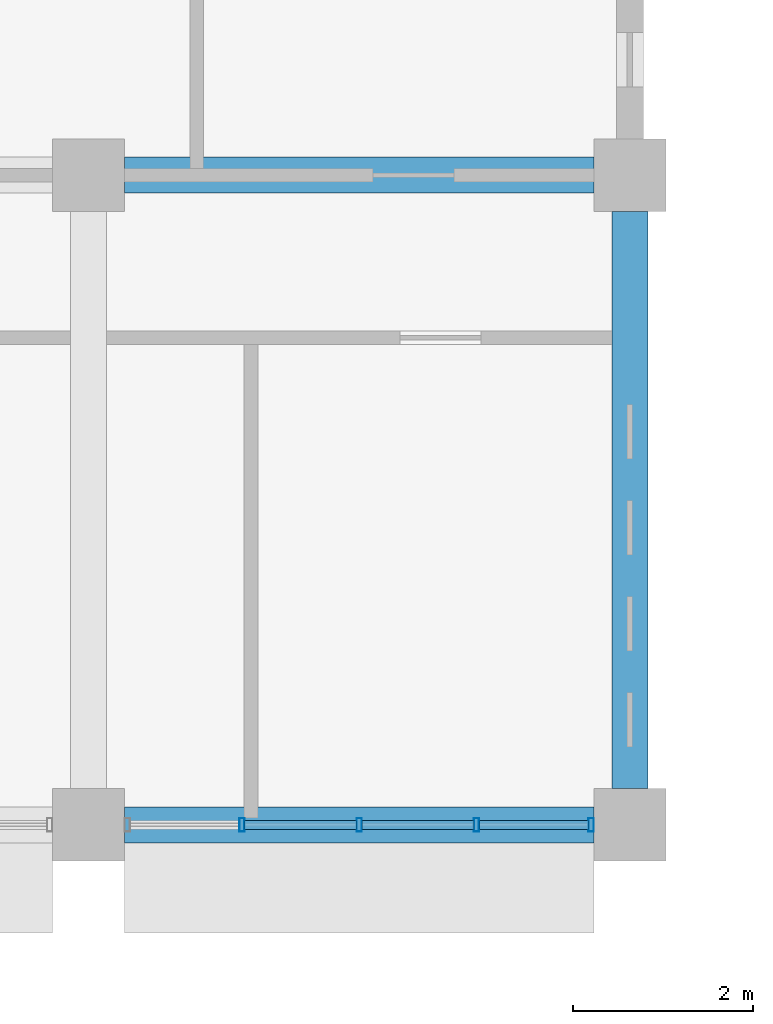
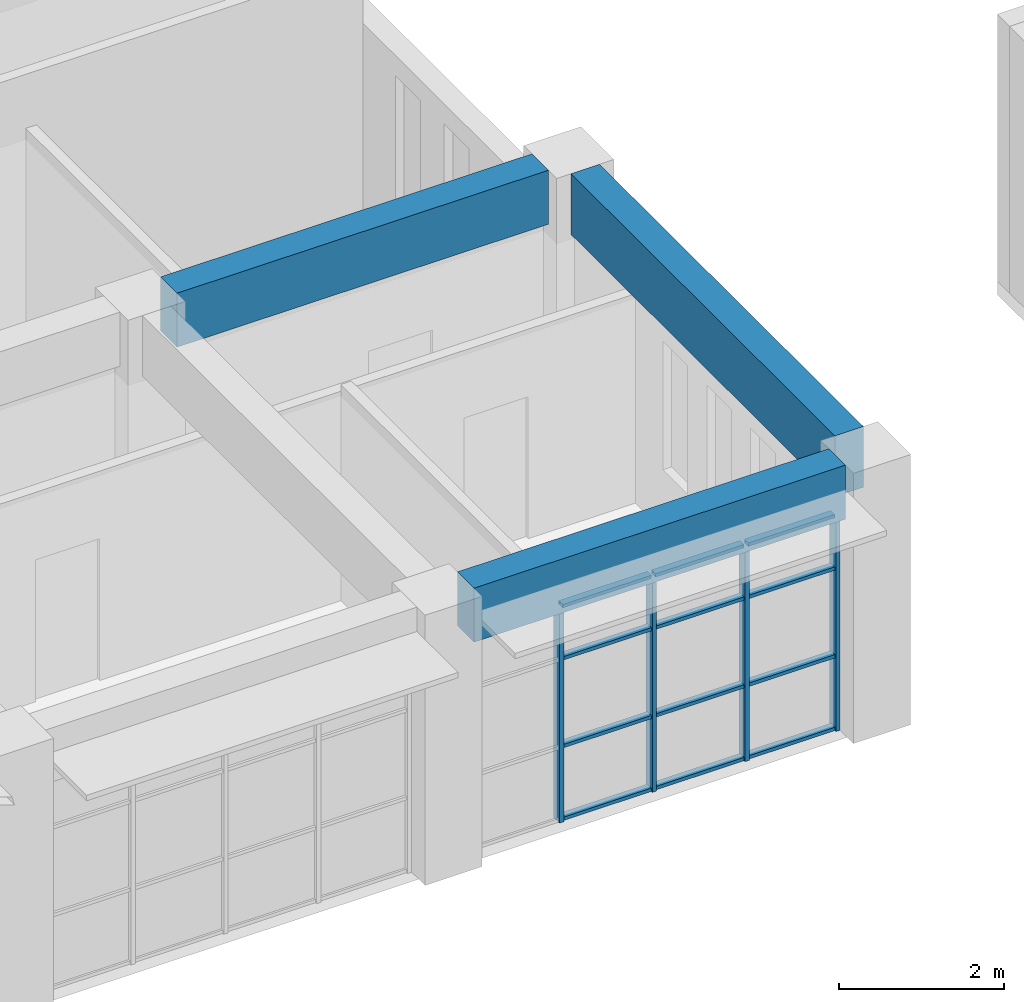
# One storey, part 16 of 47: 16 members, 3 beams, 1 element without a shape of its own.
"""IFC4 building model written with IfcOpenShell, lengths in metres."""

from ifc_helpers import new_model, si_unit, direction, frame, origin, origin_2d, place, context, subcontext, project, spatial, rectangle, hollow_rectangle, extrude, material, material_profile, profile_set, type_object, element, aggregate, save


model = new_model("IFC4")

# Units and contexts
model_context = context("Model", 3, precision=1e-05, world=origin(), true_north=direction((0.0, 1.0)))
body_context = subcontext(model_context, "Body", "Model", "MODEL_VIEW")
ifc_project = project(units=[si_unit("LENGTHUNIT", "METRE"), si_unit("AREAUNIT", "SQUARE_METRE"), si_unit("VOLUMEUNIT", "CUBIC_METRE"), si_unit("PLANEANGLEUNIT", "RADIAN"), si_unit("MASSUNIT", "GRAM", prefix="KILO")], contexts=[model_context])

# Site, building, storey
site_placement = place(None, origin())
site = spatial("IfcSite", under=ifc_project, at=site_placement, CompositionType="ELEMENT")
building_placement = place(site_placement, origin())
building = spatial("IfcBuilding", under=site, at=building_placement, Name="Laocheng Heights Fire and Rescue Headquarters", CompositionType="ELEMENT")
storey_placement = place(building_placement, frame((0.0, 0.0, 16.800048828125)))
storey = spatial("IfcBuildingStorey", under=building, at=storey_placement, Name="L04", CompositionType="ELEMENT", Elevation=16.800048828125)

# Curtain wall, members
ifc_material_1 = material(Name="Dark anodised aluminium unitised curtain wall, low-e double glazing", Category="aluminium")
curtain_wall_type = type_object("IfcCurtainWallType", Name="CW 5200 x 3200 HQ SOUTH RIBBON", PredefinedType="NOTDEFINED", material=ifc_material_1)
curtain_wall_placement = place(storey_placement, origin())
curtain_wall = element("IfcCurtainWall", 1, at=curtain_wall_placement, inside=storey, type_object=curtain_wall_type, Name="X13-X HQ SOUTH L04", PredefinedType="NOTDEFINED")
ifc_material_2 = material(Name="Dark anodised aluminium 6063-T5 extrusion", Category="aluminium")
ifc_material_profile_1 = material_profile(ifc_material_2, hollow_rectangle(XDim=0.14990234375, YDim=0.06005859375, WallThickness=0.0029296875, at=origin_2d()), Name="AL MULLION 150x60x3 HQ SOUTH RIBBON")
ifc_profile_set_1 = profile_set([ifc_material_profile_1], Name="Dark anodised aluminium 6063-T5 extrusion")
member_type_1 = type_object("IfcMemberType", Name="AL MULLION 150x60x3 HQ SOUTH RIBBON", PredefinedType="MULLION", material=ifc_profile_set_1)
member_1_placement = place(storey_placement, frame((79.699951171875, 50.39990234375, 0.0), z_axis=(0.0, 0.0, 1.0), x_axis=(0.0, 1.0, 0.0)))
member_1 = element("IfcMember", 2, at=member_1_placement, type_object=member_type_1, Name="X13-X mullion 2", PredefinedType="MULLION", context=body_context, shape_type="SweptSolid", body=[
    extrude(hollow_rectangle(XDim=0.14990234375, YDim=0.06005859375, WallThickness=0.0029296875, at=origin_2d()), origin(), (0.0, 0.0, 1.0), 3.199951171875),
])
member_2_placement = place(storey_placement, frame((81.0, 50.39990234375, 0.0), z_axis=(0.0, 0.0, 1.0), x_axis=(0.0, 1.0, 0.0)))
member_2 = element("IfcMember", 3, at=member_2_placement, type_object=member_type_1, Name="X13-X mullion 3", PredefinedType="MULLION", context=body_context, shape_type="SweptSolid", body=[
    extrude(hollow_rectangle(XDim=0.14990234375, YDim=0.06005859375, WallThickness=0.0029296875, at=origin_2d()), origin(), (0.0, 0.0, 1.0), 3.199951171875),
])
member_3_placement = place(storey_placement, frame((82.300048828125, 50.39990234375, 0.0), z_axis=(0.0, 0.0, 1.0), x_axis=(0.0, 1.0, 0.0)))
member_3 = element("IfcMember", 4, at=member_3_placement, type_object=member_type_1, Name="X13-X mullion 4", PredefinedType="MULLION", context=body_context, shape_type="SweptSolid", body=[
    extrude(hollow_rectangle(XDim=0.14990234375, YDim=0.06005859375, WallThickness=0.0029296875, at=origin_2d()), origin(), (0.0, 0.0, 1.0), 3.199951171875),
])
member_4_placement = place(storey_placement, frame((83.570068359375, 50.39990234375, 0.0), z_axis=(0.0, 0.0, 1.0), x_axis=(0.0, 1.0, 0.0)))
member_4 = element("IfcMember", 5, at=member_4_placement, type_object=member_type_1, Name="X13-X mullion 5", PredefinedType="MULLION", context=body_context, shape_type="SweptSolid", body=[
    extrude(hollow_rectangle(XDim=0.14990234375, YDim=0.06005859375, WallThickness=0.0029296875, at=origin_2d()), origin(), (0.0, 0.0, 1.0), 3.199951171875),
])
ifc_material_3 = material(Name="Dark anodised aluminium 6063-T5 extrusion", Category="aluminium")
ifc_material_profile_2 = material_profile(ifc_material_3, hollow_rectangle(XDim=0.10009765625, YDim=0.050048828125, WallThickness=0.0029296875, at=origin_2d()), Name="AL TRANSOM 100x50x3 HQ SOUTH RIBBON")
ifc_profile_set_2 = profile_set([ifc_material_profile_2], Name="Dark anodised aluminium 6063-T5 extrusion")
member_type_2 = type_object("IfcMemberType", Name="AL TRANSOM 100x50x3 HQ SOUTH RIBBON", PredefinedType="USERDEFINED", material=ifc_profile_set_2)
member_5_placement = place(storey_placement, frame((79.72998046875, 50.39990234375, 0.02490234375), z_axis=(1.0, 0.0, 0.0), x_axis=(0.0, 1.0, 0.0)))
member_5 = element("IfcMember", 6, at=member_5_placement, type_object=member_type_2, Name="X13-X transom 2.1", ObjectType="TRANSOM", PredefinedType="USERDEFINED", context=body_context, shape_type="SweptSolid", body=[
    extrude(hollow_rectangle(XDim=0.10009765625, YDim=0.050048828125, WallThickness=0.0029296875, at=origin_2d()), origin(), (0.0, 0.0, 1.0), 1.239990234375),
])
member_6_placement = place(storey_placement, frame((79.72998046875, 50.39990234375, 1.099853515625), z_axis=(1.0, 0.0, 0.0), x_axis=(0.0, 1.0, 0.0)))
member_6 = element("IfcMember", 7, at=member_6_placement, type_object=member_type_2, Name="X13-X transom 2.2", ObjectType="TRANSOM", PredefinedType="USERDEFINED", context=body_context, shape_type="SweptSolid", body=[
    extrude(hollow_rectangle(XDim=0.10009765625, YDim=0.050048828125, WallThickness=0.0029296875, at=origin_2d()), origin(), (0.0, 0.0, 1.0), 1.239990234375),
])
member_7_placement = place(storey_placement, frame((79.72998046875, 50.39990234375, 2.39990234375), z_axis=(1.0, 0.0, 0.0), x_axis=(0.0, 1.0, 0.0)))
member_7 = element("IfcMember", 8, at=member_7_placement, type_object=member_type_2, Name="X13-X transom 2.3", ObjectType="TRANSOM", PredefinedType="USERDEFINED", context=body_context, shape_type="SweptSolid", body=[
    extrude(hollow_rectangle(XDim=0.10009765625, YDim=0.050048828125, WallThickness=0.0029296875, at=origin_2d()), origin(), (0.0, 0.0, 1.0), 1.239990234375),
])
member_8_placement = place(storey_placement, frame((79.72998046875, 50.39990234375, 3.175048828125), z_axis=(1.0, 0.0, 0.0), x_axis=(0.0, 1.0, 0.0)))
member_8 = element("IfcMember", 9, at=member_8_placement, type_object=member_type_2, Name="X13-X transom 2.4", ObjectType="TRANSOM", PredefinedType="USERDEFINED", context=body_context, shape_type="SweptSolid", body=[
    extrude(hollow_rectangle(XDim=0.10009765625, YDim=0.050048828125, WallThickness=0.0029296875, at=origin_2d()), origin(), (0.0, 0.0, 1.0), 1.239990234375),
])
member_9_placement = place(storey_placement, frame((81.030029296875, 50.39990234375, 0.02490234375), z_axis=(1.0, 0.0, 0.0), x_axis=(0.0, 1.0, 0.0)))
member_9 = element("IfcMember", 10, at=member_9_placement, type_object=member_type_2, Name="X13-X transom 3.1", ObjectType="TRANSOM", PredefinedType="USERDEFINED", context=body_context, shape_type="SweptSolid", body=[
    extrude(hollow_rectangle(XDim=0.10009765625, YDim=0.050048828125, WallThickness=0.0029296875, at=origin_2d()), origin(), (0.0, 0.0, 1.0), 1.239990234375),
])
member_10_placement = place(storey_placement, frame((81.030029296875, 50.39990234375, 1.099853515625), z_axis=(1.0, 0.0, 0.0), x_axis=(0.0, 1.0, 0.0)))
member_10 = element("IfcMember", 11, at=member_10_placement, type_object=member_type_2, Name="X13-X transom 3.2", ObjectType="TRANSOM", PredefinedType="USERDEFINED", context=body_context, shape_type="SweptSolid", body=[
    extrude(hollow_rectangle(XDim=0.10009765625, YDim=0.050048828125, WallThickness=0.0029296875, at=origin_2d()), origin(), (0.0, 0.0, 1.0), 1.239990234375),
])
member_11_placement = place(storey_placement, frame((81.030029296875, 50.39990234375, 2.39990234375), z_axis=(1.0, 0.0, 0.0), x_axis=(0.0, 1.0, 0.0)))
member_11 = element("IfcMember", 12, at=member_11_placement, type_object=member_type_2, Name="X13-X transom 3.3", ObjectType="TRANSOM", PredefinedType="USERDEFINED", context=body_context, shape_type="SweptSolid", body=[
    extrude(hollow_rectangle(XDim=0.10009765625, YDim=0.050048828125, WallThickness=0.0029296875, at=origin_2d()), origin(), (0.0, 0.0, 1.0), 1.239990234375),
])
member_12_placement = place(storey_placement, frame((81.030029296875, 50.39990234375, 3.175048828125), z_axis=(1.0, 0.0, 0.0), x_axis=(0.0, 1.0, 0.0)))
member_12 = element("IfcMember", 13, at=member_12_placement, type_object=member_type_2, Name="X13-X transom 3.4", ObjectType="TRANSOM", PredefinedType="USERDEFINED", context=body_context, shape_type="SweptSolid", body=[
    extrude(hollow_rectangle(XDim=0.10009765625, YDim=0.050048828125, WallThickness=0.0029296875, at=origin_2d()), origin(), (0.0, 0.0, 1.0), 1.239990234375),
])
member_13_placement = place(storey_placement, frame((82.330078125, 50.39990234375, 0.02490234375), z_axis=(1.0, 0.0, 0.0), x_axis=(0.0, 1.0, 0.0)))
member_13 = element("IfcMember", 14, at=member_13_placement, type_object=member_type_2, Name="X13-X transom 4.1", ObjectType="TRANSOM", PredefinedType="USERDEFINED", context=body_context, shape_type="SweptSolid", body=[
    extrude(hollow_rectangle(XDim=0.10009765625, YDim=0.050048828125, WallThickness=0.0029296875, at=origin_2d()), origin(), (0.0, 0.0, 1.0), 1.2099609375),
])
member_14_placement = place(storey_placement, frame((82.330078125, 50.39990234375, 1.099853515625), z_axis=(1.0, 0.0, 0.0), x_axis=(0.0, 1.0, 0.0)))
member_14 = element("IfcMember", 15, at=member_14_placement, type_object=member_type_2, Name="X13-X transom 4.2", ObjectType="TRANSOM", PredefinedType="USERDEFINED", context=body_context, shape_type="SweptSolid", body=[
    extrude(hollow_rectangle(XDim=0.10009765625, YDim=0.050048828125, WallThickness=0.0029296875, at=origin_2d()), origin(), (0.0, 0.0, 1.0), 1.2099609375),
])
member_15_placement = place(storey_placement, frame((82.330078125, 50.39990234375, 2.39990234375), z_axis=(1.0, 0.0, 0.0), x_axis=(0.0, 1.0, 0.0)))
member_15 = element("IfcMember", 16, at=member_15_placement, type_object=member_type_2, Name="X13-X transom 4.3", ObjectType="TRANSOM", PredefinedType="USERDEFINED", context=body_context, shape_type="SweptSolid", body=[
    extrude(hollow_rectangle(XDim=0.10009765625, YDim=0.050048828125, WallThickness=0.0029296875, at=origin_2d()), origin(), (0.0, 0.0, 1.0), 1.2099609375),
])
member_16_placement = place(storey_placement, frame((82.330078125, 50.39990234375, 3.175048828125), z_axis=(1.0, 0.0, 0.0), x_axis=(0.0, 1.0, 0.0)))
member_16 = element("IfcMember", 17, at=member_16_placement, type_object=member_type_2, Name="X13-X transom 4.4", ObjectType="TRANSOM", PredefinedType="USERDEFINED", context=body_context, shape_type="SweptSolid", body=[
    extrude(hollow_rectangle(XDim=0.10009765625, YDim=0.050048828125, WallThickness=0.0029296875, at=origin_2d()), origin(), (0.0, 0.0, 1.0), 1.2099609375),
])
aggregate(curtain_wall, [member_1, member_2, member_3, member_4, member_5, member_6, member_7, member_8, member_9, member_10, member_11, member_12, member_13, member_14, member_15, member_16])

# Beams
ifc_material_4 = material(Name="Concrete C40", Category="concrete")
ifc_material_profile_3 = material_profile(ifc_material_4, rectangle(XDim=0.39990234375, YDim=0.800048828125, at=origin_2d()), Name="RC BEAM 400x800 HQ")
ifc_profile_set_3 = profile_set([ifc_material_profile_3], Name="Concrete C40")
beam_type_1 = type_object("IfcBeamType", Name="RC BEAM 400x800 HQ", PredefinedType="BEAM", material=ifc_profile_set_3)
for number, where, z_axis, x_axis, name in (
    (18, (78.39990234375, 50.39990234375, 3.599853515625), (1.0, 0.0, 0.0), (0.0, 1.0, 0.0), "HQ beam L04"),
    (19, (78.39990234375, 57.60009765625, 3.599853515625), (1.0, 0.0, 0.0), (0.0, 1.0, 0.0), "HQ beam L04"),
):
    element("IfcBeam", number, at=place(storey_placement, frame(where, z_axis=z_axis, x_axis=x_axis)), inside=storey, type_object=beam_type_1, Name=name, PredefinedType="BEAM", context=body_context, shape_type="SweptSolid", body=[
        extrude(rectangle(XDim=0.39990234375, YDim=0.800048828125, at=origin_2d()), origin(), (0.0, 0.0, 1.0), 5.2001953125),
    ])
ifc_material_5 = material(Name="Concrete C40", Category="concrete")
ifc_material_profile_4 = material_profile(ifc_material_5, rectangle(XDim=0.39990234375, YDim=0.89990234375, at=origin_2d()), Name="RC BEAM 400x900 HQ")
ifc_profile_set_4 = profile_set([ifc_material_profile_4], Name="Concrete C40")
beam_type_2 = type_object("IfcBeamType", Name="RC BEAM 400x900 HQ", PredefinedType="BEAM", material=ifc_profile_set_4)
beam_placement = place(storey_placement, frame((84.0, 50.800048828125, 3.550048828125), z_axis=(0.0, 1.0, 0.0), x_axis=(-1.0, 0.0, 0.0)))
element("IfcBeam", 20, at=beam_placement, inside=storey, type_object=beam_type_2, Name="HQ beam L04", PredefinedType="BEAM", context=body_context, shape_type="SweptSolid", body=[
    extrude(rectangle(XDim=0.39990234375, YDim=0.89990234375, at=origin_2d()), origin(), (0.0, 0.0, 1.0), 6.39990234375),
])

save(model, "model.ifc")
